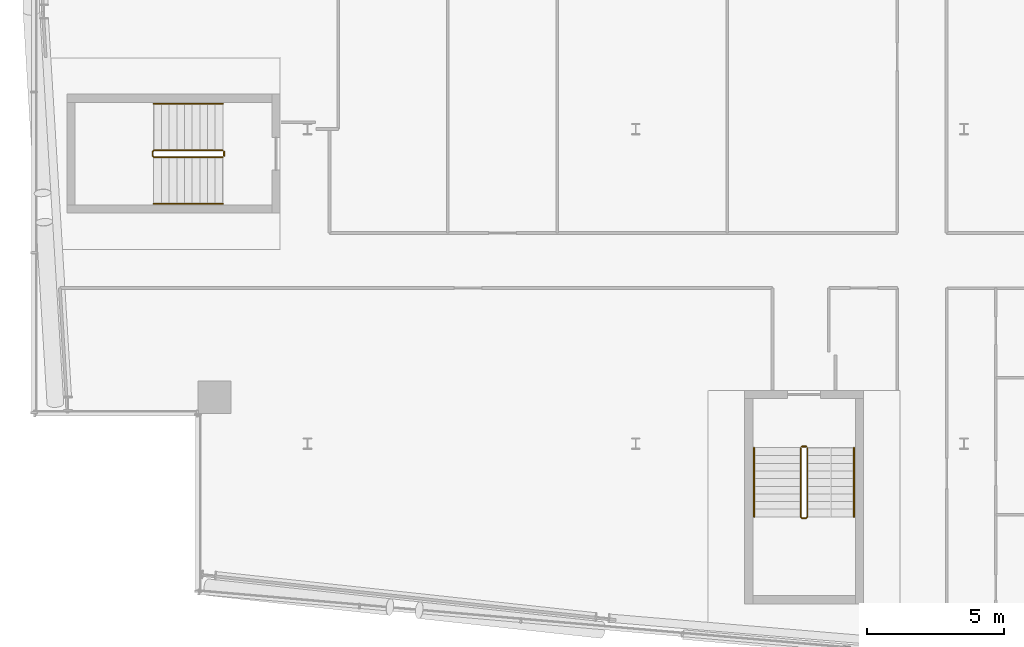
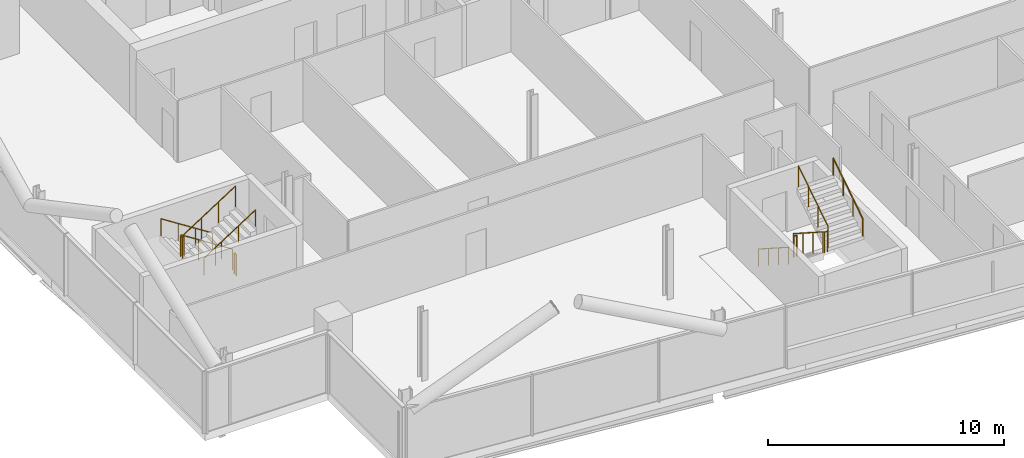
# One storey, part 25 of 27: 8 railings.
"""IFC4 building model written with IfcOpenShell, lengths in metres."""

from ifc_helpers import new_model, si_unit, direction, frame, origin, origin_2d, place, context, subcontext, project, spatial, circle, extrude, material, type_object, element, save


model = new_model("IFC4")

# Units and contexts
model_context = context("Model", 3, precision=1e-05, world=origin(), true_north=direction((0.0, 1.0)))
body_context = subcontext(model_context, "Body", "Model", "MODEL_VIEW")
ifc_project = project(units=[si_unit("LENGTHUNIT", "METRE"), si_unit("AREAUNIT", "SQUARE_METRE"), si_unit("VOLUMEUNIT", "CUBIC_METRE"), si_unit("PLANEANGLEUNIT", "RADIAN"), si_unit("MASSUNIT", "GRAM", prefix="KILO")], contexts=[model_context])

# Site, building, storey
site_placement = place(None, origin())
site = spatial("IfcSite", under=ifc_project, at=site_placement, CompositionType="ELEMENT")
building_placement = place(site_placement, origin())
building = spatial("IfcBuilding", under=site, at=building_placement, Name="Wharfspan Tower", CompositionType="ELEMENT")
storey_placement = place(building_placement, frame((0.0, 0.0, 210.699951)))
storey = spatial("IfcBuildingStorey", under=building, at=storey_placement, Name="L52", CompositionType="ELEMENT", Elevation=210.699951)

# Railings
ifc_material = material(Name="Steel S355J2", Category="steel")
railing_type_1 = type_object("IfcRailingType", Name="Stair guard 1100", PredefinedType="GUARDRAIL", material=ifc_material)
railing_1_placement = place(storey_placement, frame((20.899902, 22.225098, 0.179932)))
element("IfcRailing", 1, at=railing_1_placement, inside=storey, type_object=railing_type_1, Name="L52 ST3 stair guard 1", PredefinedType="GUARDRAIL", context=body_context, shape_type="SweptSolid", body=[
    extrude(circle(Radius=0.023926, at=origin_2d()), frame((0.0, 0.0, 1.076172), z_axis=(-0.841163, 0.0, 0.540782), x_axis=(0.0, -1.0, 0.0)), (0.0, 0.0, 1.0), 2.99585),
    extrude(circle(Radius=0.023926, at=origin_2d()), frame((-2.52002, 0.0, 2.696289), z_axis=(-0.705376, -0.708834, 0.0), x_axis=(0.708834, -0.705376, 0.0)), (0.0, 0.0, 1.0), 0.070557),
    extrude(circle(Radius=0.023926, at=origin_2d()), frame((-2.569824, -0.050049, 2.696289), z_axis=(0.0, -1.0, 0.0), x_axis=(1.0, 0.0, 0.0)), (0.0, 0.0, 1.0), 0.150146),
    extrude(circle(Radius=0.023926, at=origin_2d()), frame((-2.569824, -0.200195, 2.696289), z_axis=(0.257753, -0.257753, 0.931196), x_axis=(0.707107, 0.707107, 0.0)), (0.0, 0.0, 1.0), 0.193115),
    extrude(circle(Radius=0.023926, at=origin_2d()), frame((-2.52002, -0.25, 2.875977), z_axis=(0.841163, 0.0, 0.540782), x_axis=(0.0, 1.0, 0.0)), (0.0, 0.0, 1.0), 2.99585),
    extrude(circle(Radius=0.020996, at=origin_2d()), origin(), (0.0, 0.0, 1.0), 1.052002),
    extrude(circle(Radius=0.020996, at=origin_2d()), frame((-0.840088, 0.0, 0.540039)), (0.0, 0.0, 1.0), 1.052002),
    extrude(circle(Radius=0.020996, at=origin_2d()), frame((-1.679932, 0.0, 1.080078)), (0.0, 0.0, 1.0), 1.052002),
    extrude(circle(Radius=0.020996, at=origin_2d()), frame((-2.52002, 0.0, 1.620117)), (0.0, 0.0, 1.0), 1.052002),
    extrude(circle(Radius=0.020996, at=origin_2d()), frame((-2.569824, -0.050049, 1.620117)), (0.0, 0.0, 1.0), 1.052002),
    extrude(circle(Radius=0.020996, at=origin_2d()), frame((-2.569824, -0.200195, 1.620117)), (0.0, 0.0, 1.0), 1.052002),
    extrude(circle(Radius=0.020996, at=origin_2d()), frame((-2.52002, -0.25, 1.800049)), (0.0, 0.0, 1.0), 1.052002),
    extrude(circle(Radius=0.020996, at=origin_2d()), frame((-1.679932, -0.25, 2.340088)), (0.0, 0.0, 1.0), 1.052002),
    extrude(circle(Radius=0.020996, at=origin_2d()), frame((-0.840088, -0.25, 2.880127)), (0.0, 0.0, 1.0), 1.052002),
    extrude(circle(Radius=0.020996, at=origin_2d()), frame((0.0, -0.25, 3.420166)), (0.0, 0.0, 1.0), 1.052002),
])
railing_2_placement = place(storey_placement, frame((20.949951, 22.175049, 0.0)))
element("IfcRailing", 2, at=railing_2_placement, inside=storey, type_object=railing_type_1, Name="L52 ST3 stair guard 2", PredefinedType="GUARDRAIL", context=body_context, shape_type="SweptSolid", body=[
    extrude(circle(Radius=0.023926, at=origin_2d()), frame((0.0, 0.0, 1.076172), z_axis=(0.0, -1.0, 0.0), x_axis=(1.0, 0.0, 0.0)), (0.0, 0.0, 1.0), 0.150146),
    extrude(circle(Radius=0.020996, at=origin_2d()), origin(), (0.0, 0.0, 1.0), 1.052002),
    extrude(circle(Radius=0.020996, at=origin_2d()), frame((0.0, -0.150146, 0.0)), (0.0, 0.0, 1.0), 1.052002),
])
railing_3_placement = place(storey_placement, frame((42.0271, 11.343262, 0.179932)))
element("IfcRailing", 3, at=railing_3_placement, inside=storey, type_object=railing_type_1, Name="L52 ST4 stair guard 1", PredefinedType="GUARDRAIL", context=body_context, shape_type="SweptSolid", body=[
    extrude(circle(Radius=0.023926, at=origin_2d()), frame((0.0, 0.0, 1.076172), z_axis=(0.0, -0.841163, 0.540782), x_axis=(1.0, 0.0, 0.0)), (0.0, 0.0, 1.0), 2.99585),
    extrude(circle(Radius=0.023926, at=origin_2d()), frame((0.0, -2.52002, 2.696289), z_axis=(0.707107, -0.707107, 0.0), x_axis=(0.707107, 0.707107, 0.0)), (0.0, 0.0, 1.0), 0.070801),
    extrude(circle(Radius=0.023926, at=origin_2d()), frame((0.050049, -2.570068, 2.696289), z_axis=(1.0, 0.0, 0.0), x_axis=(0.0, 1.0, 0.0)), (0.0, 0.0, 1.0), 0.149902),
    extrude(circle(Radius=0.023926, at=origin_2d()), frame((0.199951, -2.570068, 2.696289), z_axis=(0.258848, 0.258848, 0.930589), x_axis=(-0.707107, 0.707107, 0.0)), (0.0, 0.0, 1.0), 0.193359),
    extrude(circle(Radius=0.023926, at=origin_2d()), frame((0.25, -2.52002, 2.875977), z_axis=(0.0, 0.841163, 0.540782), x_axis=(-1.0, 0.0, 0.0)), (0.0, 0.0, 1.0), 2.99585),
    extrude(circle(Radius=0.020996, at=origin_2d()), origin(), (0.0, 0.0, 1.0), 1.052002),
    extrude(circle(Radius=0.020996, at=origin_2d()), frame((0.0, -0.840088, 0.540039)), (0.0, 0.0, 1.0), 1.052002),
    extrude(circle(Radius=0.020996, at=origin_2d()), frame((0.0, -1.679932, 1.080078)), (0.0, 0.0, 1.0), 1.052002),
    extrude(circle(Radius=0.020996, at=origin_2d()), frame((0.0, -2.52002, 1.620117)), (0.0, 0.0, 1.0), 1.052002),
    extrude(circle(Radius=0.020996, at=origin_2d()), frame((0.050049, -2.570068, 1.620117)), (0.0, 0.0, 1.0), 1.052002),
    extrude(circle(Radius=0.020996, at=origin_2d()), frame((0.199951, -2.570068, 1.620117)), (0.0, 0.0, 1.0), 1.052002),
    extrude(circle(Radius=0.020996, at=origin_2d()), frame((0.25, -2.52002, 1.800049)), (0.0, 0.0, 1.0), 1.052002),
    extrude(circle(Radius=0.020996, at=origin_2d()), frame((0.25, -1.679932, 2.340088)), (0.0, 0.0, 1.0), 1.052002),
    extrude(circle(Radius=0.020996, at=origin_2d()), frame((0.25, -0.840088, 2.880127)), (0.0, 0.0, 1.0), 1.052002),
    extrude(circle(Radius=0.020996, at=origin_2d()), frame((0.25, 0.0, 3.420166)), (0.0, 0.0, 1.0), 1.052002),
])
railing_4_placement = place(storey_placement, frame((42.077148, 11.393311, 0.0)))
element("IfcRailing", 4, at=railing_4_placement, inside=storey, type_object=railing_type_1, Name="L52 ST4 stair guard 2", PredefinedType="GUARDRAIL", context=body_context, shape_type="SweptSolid", body=[
    extrude(circle(Radius=0.023926, at=origin_2d()), frame((0.0, 0.0, 1.076172), z_axis=(1.0, 0.0, 0.0), x_axis=(0.0, 1.0, 0.0)), (0.0, 0.0, 1.0), 0.149902),
    extrude(circle(Radius=0.020996, at=origin_2d()), origin(), (0.0, 0.0, 1.0), 1.052002),
    extrude(circle(Radius=0.020996, at=origin_2d()), frame((0.149902, 0.0, 0.0)), (0.0, 0.0, 1.0), 1.052002),
])
railing_type_2 = type_object("IfcRailingType", Name="Stair handrail 900", PredefinedType="HANDRAIL", material=ifc_material)
railing_5_placement = place(storey_placement, frame((20.899902, 23.925049, 0.179932)))
element("IfcRailing", 5, at=railing_5_placement, inside=storey, type_object=railing_type_2, Name="L52 ST3 stair handrail 1", PredefinedType="HANDRAIL", context=body_context, shape_type="SweptSolid", body=[
    extrude(circle(Radius=0.023926, at=origin_2d()), frame((0.0, 0.0, 0.875977), z_axis=(-0.841163, 0.0, 0.540782), x_axis=(0.0, -1.0, 0.0)), (0.0, 0.0, 1.0), 2.99585),
    extrude(circle(Radius=0.020996, at=origin_2d()), origin(), (0.0, 0.0, 1.0), 0.851807),
    extrude(circle(Radius=0.020996, at=origin_2d()), frame((-0.840088, 0.0, 0.540039)), (0.0, 0.0, 1.0), 0.851807),
    extrude(circle(Radius=0.020996, at=origin_2d()), frame((-1.679932, 0.0, 1.080078)), (0.0, 0.0, 1.0), 0.851807),
    extrude(circle(Radius=0.020996, at=origin_2d()), frame((-2.52002, 0.0, 1.620117)), (0.0, 0.0, 1.0), 0.851807),
])
railing_6_placement = place(storey_placement, frame((18.379883, 20.274902, 1.97998)))
element("IfcRailing", 6, at=railing_6_placement, inside=storey, type_object=railing_type_2, Name="L52 ST3 stair handrail 2", PredefinedType="HANDRAIL", context=body_context, shape_type="SweptSolid", body=[
    extrude(circle(Radius=0.023926, at=origin_2d()), frame((0.0, 0.0, 0.875977), z_axis=(0.841163, 0.0, 0.540782), x_axis=(0.0, 1.0, 0.0)), (0.0, 0.0, 1.0), 2.99585),
    extrude(circle(Radius=0.020996, at=origin_2d()), origin(), (0.0, 0.0, 1.0), 0.851807),
    extrude(circle(Radius=0.020996, at=origin_2d()), frame((0.840088, 0.0, 0.540039)), (0.0, 0.0, 1.0), 0.851807),
    extrude(circle(Radius=0.020996, at=origin_2d()), frame((1.679932, 0.0, 1.080078)), (0.0, 0.0, 1.0), 0.851807),
    extrude(circle(Radius=0.020996, at=origin_2d()), frame((2.52002, 0.0, 1.620117)), (0.0, 0.0, 1.0), 0.851807),
])
railing_7_placement = place(storey_placement, frame((40.327148, 11.343262, 0.179932)))
element("IfcRailing", 7, at=railing_7_placement, inside=storey, type_object=railing_type_2, Name="L52 ST4 stair handrail 1", PredefinedType="HANDRAIL", context=body_context, shape_type="SweptSolid", body=[
    extrude(circle(Radius=0.023926, at=origin_2d()), frame((0.0, 0.0, 0.875977), z_axis=(0.0, -0.841163, 0.540782), x_axis=(1.0, 0.0, 0.0)), (0.0, 0.0, 1.0), 2.99585),
    extrude(circle(Radius=0.020996, at=origin_2d()), origin(), (0.0, 0.0, 1.0), 0.851807),
    extrude(circle(Radius=0.020996, at=origin_2d()), frame((0.0, -0.840088, 0.540039)), (0.0, 0.0, 1.0), 0.851807),
    extrude(circle(Radius=0.020996, at=origin_2d()), frame((0.0, -1.679932, 1.080078)), (0.0, 0.0, 1.0), 0.851807),
    extrude(circle(Radius=0.020996, at=origin_2d()), frame((0.0, -2.52002, 1.620117)), (0.0, 0.0, 1.0), 0.851807),
])
railing_8_placement = place(storey_placement, frame((43.977051, 8.823242, 1.97998)))
element("IfcRailing", 8, at=railing_8_placement, inside=storey, type_object=railing_type_2, Name="L52 ST4 stair handrail 2", PredefinedType="HANDRAIL", context=body_context, shape_type="SweptSolid", body=[
    extrude(circle(Radius=0.023926, at=origin_2d()), frame((0.0, 0.0, 0.875977), z_axis=(0.0, 0.841163, 0.540782), x_axis=(-1.0, 0.0, 0.0)), (0.0, 0.0, 1.0), 2.99585),
    extrude(circle(Radius=0.020996, at=origin_2d()), origin(), (0.0, 0.0, 1.0), 0.851807),
    extrude(circle(Radius=0.020996, at=origin_2d()), frame((0.0, 0.840088, 0.540039)), (0.0, 0.0, 1.0), 0.851807),
    extrude(circle(Radius=0.020996, at=origin_2d()), frame((0.0, 1.679932, 1.080078)), (0.0, 0.0, 1.0), 0.851807),
    extrude(circle(Radius=0.020996, at=origin_2d()), frame((0.0, 2.52002, 1.620117)), (0.0, 0.0, 1.0), 0.851807),
])

save(model, "model.ifc")
